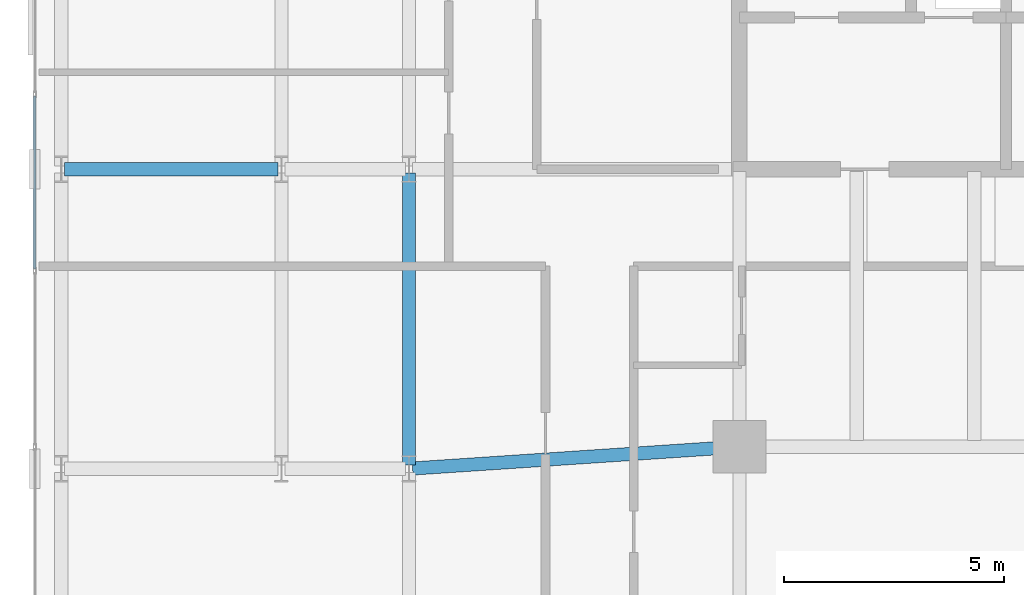
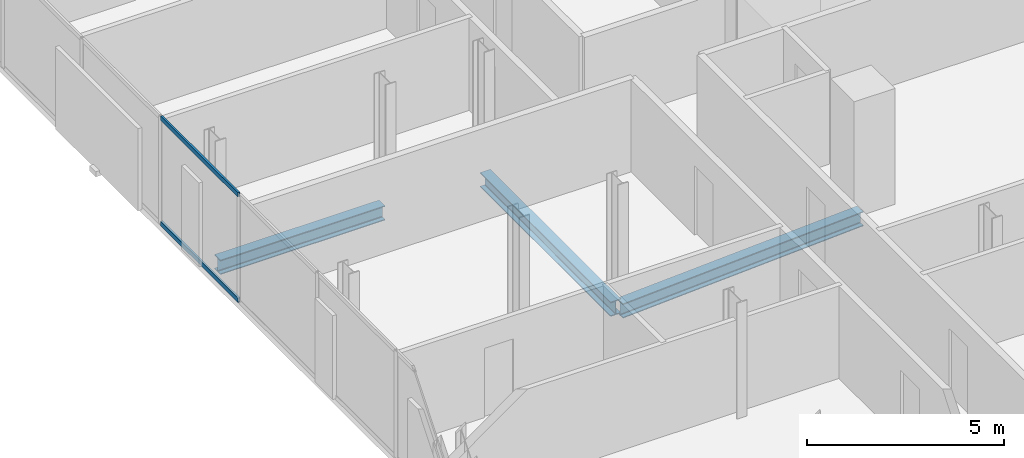
# One storey, part 10 of 33: 3 beams, 2 members, 1 element without a shape of its own.
"""IFC4 building model written with IfcOpenShell, lengths in metres."""

from ifc_helpers import new_model, si_unit, direction, frame, origin, origin_2d, place, context, subcontext, project, spatial, hollow_rectangle, i_section, extrude, material, layer, layer_set, material_profile, profile_set, type_object, element, aggregate, save


model = new_model("IFC4")

# Units and contexts
model_context = context("Model", 3, precision=1e-05, world=origin(), true_north=direction((0.0, 1.0)))
body_context = subcontext(model_context, "Body", "Model", "MODEL_VIEW")
ifc_project = project(units=[si_unit("LENGTHUNIT", "METRE"), si_unit("AREAUNIT", "SQUARE_METRE"), si_unit("VOLUMEUNIT", "CUBIC_METRE"), si_unit("PLANEANGLEUNIT", "RADIAN"), si_unit("MASSUNIT", "GRAM", prefix="KILO")], contexts=[model_context])

# Site, building, storey
site_placement = place(None, origin())
site = spatial("IfcSite", under=ifc_project, at=site_placement, CompositionType="ELEMENT")
building_placement = place(site_placement, origin())
building = spatial("IfcBuilding", under=site, at=building_placement, Name="Catumbela Crestline Tower", CompositionType="ELEMENT")
storey_placement = place(building_placement, frame((0.0, 0.0, 118.8)))
storey = spatial("IfcBuildingStorey", under=building, at=storey_placement, Name="L30", CompositionType="ELEMENT", Elevation=118.8)

# Beams
ifc_material_1 = material(Name="Structural steel S355J2", Category="steel")
ifc_material_profile_1 = material_profile(ifc_material_1, i_section(OverallWidth=0.3, OverallDepth=0.45, WebThickness=0.014, FlangeThickness=0.026, FilletRadius=0.027, at=origin_2d()), Name="HEB 450")
ifc_profile_set_1 = profile_set([ifc_material_profile_1], Name="Structural steel S355J2")
beam_type = type_object("IfcBeamType", Name="BG-HEB450", PredefinedType="BEAM", material=ifc_profile_set_1)
beam_1_placement = place(storey_placement, frame((8.5798, 24.0053, -0.485), z_axis=(0.997784796964, 0.066524423687, 0.0), x_axis=(-0.066524423687, 0.997784796964, 0.0)))
element("IfcBeam", 1, at=beam_1_placement, inside=storey, type_object=beam_type, Name="L30 Beam BM-L30-S03", PredefinedType="BEAM", context=body_context, shape_type="SweptSolid", body=[
    extrude(i_section(OverallWidth=0.3, OverallDepth=0.45, WebThickness=0.014, FlangeThickness=0.026, FilletRadius=0.027, at=origin_2d()), origin(), (0.0, 0.0, 1.0), 7.3567),
])
beam_2_placement = place(storey_placement, frame((0.68, 30.8, -0.485), z_axis=(1.0, 0.0, 0.0), x_axis=(0.0, 1.0, 0.0)))
element("IfcBeam", 2, at=beam_2_placement, inside=storey, type_object=beam_type, Name="L30 Beam BM-L30-M07", PredefinedType="BEAM", context=body_context, shape_type="SweptSolid", body=[
    extrude(i_section(OverallWidth=0.3, OverallDepth=0.45, WebThickness=0.014, FlangeThickness=0.026, FilletRadius=0.027, at=origin_2d()), origin(), (0.0, 0.0, 1.0), 4.84),
])
beam_3_placement = place(storey_placement, frame((8.5, 24.08, -0.485), z_axis=(0.0, 1.0, 0.0), x_axis=(-1.0, 0.0, 0.0)))
element("IfcBeam", 3, at=beam_3_placement, inside=storey, type_object=beam_type, Name="L30 Beam BM-L30-SN26", PredefinedType="BEAM", context=body_context, shape_type="SweptSolid", body=[
    extrude(i_section(OverallWidth=0.3, OverallDepth=0.45, WebThickness=0.014, FlangeThickness=0.026, FilletRadius=0.027, at=origin_2d()), origin(), (0.0, 0.0, 1.0), 6.64),
])

# Curtain wall, members
ifc_material_2 = material(Name="Aluminium alloy AW-6060-T66", Category="aluminium")
ifc_layer = layer(ifc_material_2, 0.18, Name="Aluminium alloy AW-6060-T66")
ifc_layer_set = layer_set([ifc_layer], Name="Aluminium alloy AW-6060-T66")
curtain_wall_type = type_object("IfcCurtainWallType", Name="CWU-Z2", PredefinedType="USERDEFINED", material=ifc_layer_set)
curtain_wall_placement = place(storey_placement, origin())
curtain_wall = element("IfcCurtainWall", 4, at=curtain_wall_placement, inside=storey, type_object=curtain_wall_type, Name="L30 Unitised Curtain Wall CW-L30-E9S1", ObjectType="UNITISED", PredefinedType="USERDEFINED")
ifc_material_profile_2 = material_profile(ifc_material_2, hollow_rectangle(XDim=0.06, YDim=0.14, WallThickness=0.004, at=origin_2d()), Name="ALU 140x60x4")
ifc_profile_set_2 = profile_set([ifc_material_profile_2], Name="Aluminium alloy AW-6060-T66")
member_type = type_object("IfcMemberType", Name="TRN-140X60", PredefinedType="USERDEFINED", material=ifc_profile_set_2)
member_1_placement = place(storey_placement, frame((0.0, 32.4675, 0.03), z_axis=(0.0, -1.0, 0.0), x_axis=(1.0, 0.0, 0.0)))
member_1 = element("IfcMember", 5, at=member_1_placement, type_object=member_type, Name="CWU-Z2 transom 4.1", ObjectType="TRANSOM", PredefinedType="USERDEFINED", context=body_context, shape_type="SweptSolid", body=[
    extrude(hollow_rectangle(XDim=0.06, YDim=0.14, WallThickness=0.004, at=origin_2d()), origin(), (0.0, 0.0, 1.0), 3.935),
])
member_2_placement = place(storey_placement, frame((0.0, 32.4675, 3.3), z_axis=(0.0, -1.0, 0.0), x_axis=(1.0, 0.0, 0.0)))
member_2 = element("IfcMember", 6, at=member_2_placement, type_object=member_type, Name="CWU-Z2 transom 4.2", ObjectType="TRANSOM", PredefinedType="USERDEFINED", context=body_context, shape_type="SweptSolid", body=[
    extrude(hollow_rectangle(XDim=0.06, YDim=0.14, WallThickness=0.004, at=origin_2d()), origin(), (0.0, 0.0, 1.0), 3.935),
])
aggregate(curtain_wall, [member_1, member_2])

save(model, "model.ifc")
